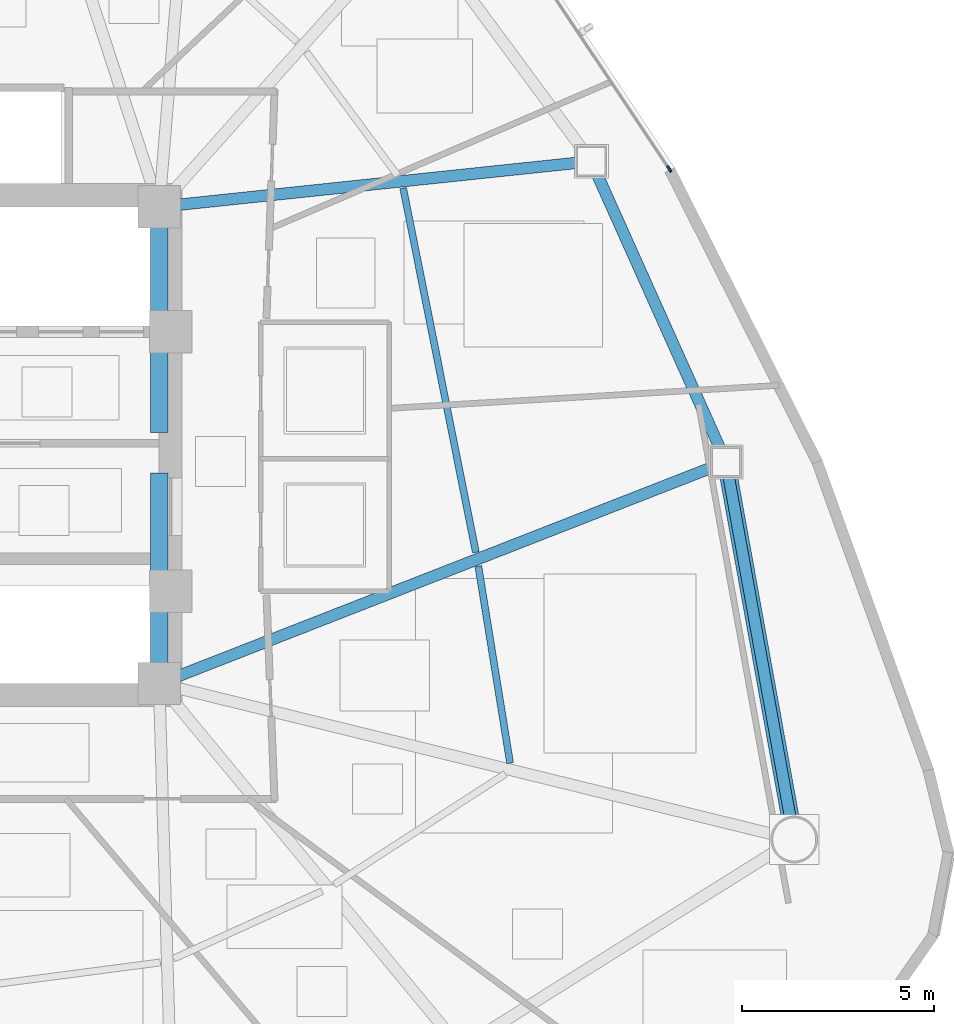
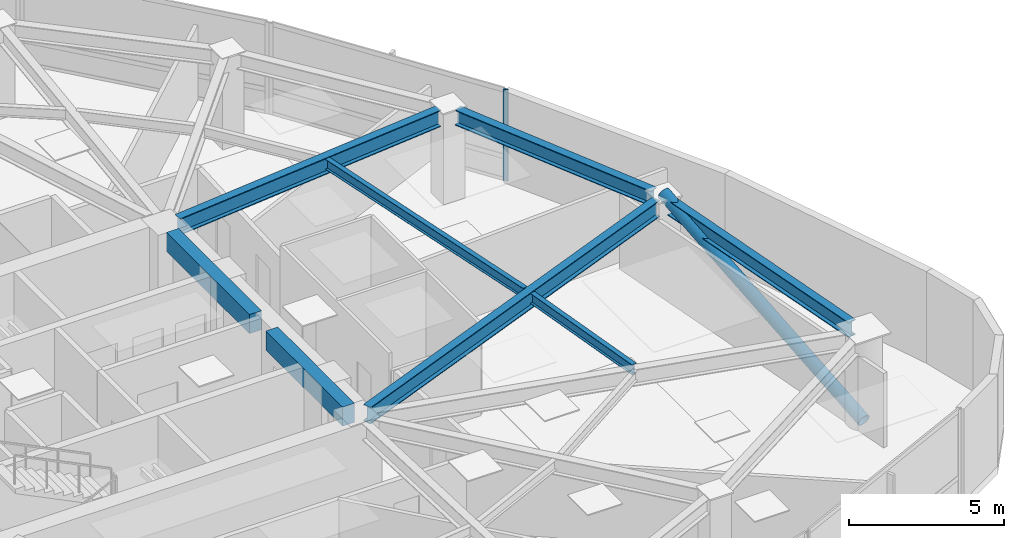
# One storey, part 7 of 18: 8 beams, 2 members, 1 element without a shape of its own.
"""IFC4 building model written with IfcOpenShell, lengths in metres."""

import ifcopenshell
import ifcopenshell.guid

model = None  # the IFC model being written
_history = None  # IfcOwnerHistory: only IFC2X3 demands one
_inside = {}  # id of a spatial element -> (the spatial element, [elements in it])
_under = {}  # id of a project, library or spatial element -> (it, [spatial elements below it])
_declared = {}  # id of a project -> (the project, [libraries it declares])
_typed = {}  # id of a type object -> (the type object, [elements of that type])
_made_of = {}  # id of a material, layer set ... -> (it, [elements and type objects made of it])


def new_model(schema):
    """Start an empty IFC model of exactly this schema.

    Asked for "IFC4X3", IfcOpenShell would pick the latest addendum, in which some entities
    have other attributes; the version numbers below select the first issue.
    IFC2X3 requires an IfcOwnerHistory on every rooted entity: one is made here for all.
    """
    global model, _history
    if schema == "IFC4X3":
        model = ifcopenshell.file(schema_version=(4, 3, 0, 0))
    else:
        model = ifcopenshell.file(schema=schema)
    _inside.clear()
    _under.clear()
    _declared.clear()
    _typed.clear()
    _made_of.clear()
    _history = None
    if model.schema == "IFC2X3":
        org = make("IfcOrganization", Name="unknown")
        user = make(
            "IfcPersonAndOrganization",
            ThePerson=make("IfcPerson", FamilyName="unknown"),
            TheOrganization=org,
        )
        app = make(
            "IfcApplication",
            ApplicationDeveloper=org,
            Version="unknown",
            ApplicationFullName="unknown",
            ApplicationIdentifier="unknown",
        )
        _history = make(
            "IfcOwnerHistory",
            OwningUser=user,
            OwningApplication=app,
            ChangeAction="ADDED",
            CreationDate=0,
        )
    return model


def make(cls, **values):
    """One entity of the class cls with the attributes given. An attribute that is None is left unset."""
    return model.create_entity(
        cls, **{name: value for name, value in values.items() if value is not None}
    )


def rooted(cls, **values):
    """An entity with a GlobalId (a new one), such as an element, a storey or a relation."""
    return make(cls, GlobalId=ifcopenshell.guid.new(), OwnerHistory=_history, **values)


def si_unit(unit_type, name, prefix=None):
    """IfcSIUnit, for example si_unit("LENGTHUNIT", "METRE", prefix="MILLI")."""
    return make("IfcSIUnit", UnitType=unit_type, Prefix=prefix, Name=name)


def assignment(units):
    """IfcUnitAssignment: the units of a project."""
    return None if units is None else make("IfcUnitAssignment", Units=units)


def point(xyz):
    """IfcCartesianPoint."""
    return None if xyz is None else make("IfcCartesianPoint", Coordinates=xyz)


def direction(xyz):
    """IfcDirection."""
    return None if xyz is None else make("IfcDirection", DirectionRatios=xyz)


def frame(location, z_axis=None, x_axis=None):
    """IfcAxis2Placement3D, a coordinate frame: its origin and axes. An axis left out is left unset."""
    return make(
        "IfcAxis2Placement3D",
        Location=point(location),
        Axis=direction(z_axis),
        RefDirection=direction(x_axis),
    )


def frame_2d(location, x_axis=None):
    """IfcAxis2Placement2D, a coordinate frame in the plane: its origin and x axis."""
    return make(
        "IfcAxis2Placement2D", Location=point(location), RefDirection=direction(x_axis)
    )


def origin():
    """The frame at (0, 0, 0) with its axes left unset."""
    return frame((0.0, 0.0, 0.0))


def origin_2d():
    """The frame at (0, 0) in the plane with its x axis left unset."""
    return frame_2d((0.0, 0.0))


def place(relative_to, where):
    """IfcLocalPlacement: puts the frame where relative to a parent placement (None: the world)."""
    return make(
        "IfcLocalPlacement", PlacementRelTo=relative_to, RelativePlacement=where
    )


def context(
    kind, dimensions, precision=None, world=None, true_north=None, identifier=None
):
    """IfcGeometricRepresentationContext, for example the 3D "Model" context."""
    return make(
        "IfcGeometricRepresentationContext",
        ContextIdentifier=identifier,
        ContextType=kind,
        CoordinateSpaceDimension=dimensions,
        Precision=precision,
        WorldCoordinateSystem=world,
        TrueNorth=true_north,
    )


def subcontext(parent, identifier, kind, view, scale=None):
    """IfcGeometricRepresentationSubContext, for example "Body" below "Model"."""
    return make(
        "IfcGeometricRepresentationSubContext",
        ContextIdentifier=identifier,
        ContextType=kind,
        ParentContext=parent,
        TargetScale=scale,
        TargetView=view,
    )


def project(units=None, contexts=None):
    """IfcProject with its units and contexts."""
    return rooted(
        "IfcProject",
        Name="project",
        RepresentationContexts=contexts,
        UnitsInContext=assignment(units),
    )


def spatial(cls, under=None, at=None, **own):
    """A site, building, storey or space (cls), placed at a placement, below another one or the project."""
    s = rooted(cls, ObjectPlacement=at, **own)
    if under is not None:
        _under.setdefault(under.id(), (under, []))[1].append(s)
    return s


def profile(cls, at=None, kind="AREA", **sizes):
    """A parametric profile (cls). Its sizes go by their IFC names, for example OverallWidth=200.0."""
    return make(cls, ProfileType=kind, Position=at, **sizes)


def rectangle(**sizes):
    """IfcRectangleProfileDef."""
    return profile("IfcRectangleProfileDef", **sizes)


def hollow_rectangle(**sizes):
    """IfcRectangleHollowProfileDef."""
    return profile("IfcRectangleHollowProfileDef", **sizes)


def hollow_circle(**sizes):
    """IfcCircleHollowProfileDef."""
    return profile("IfcCircleHollowProfileDef", **sizes)


def i_section(**sizes):
    """IfcIShapeProfileDef."""
    return profile("IfcIShapeProfileDef", **sizes)


def extrude(swept, where, along, depth):
    """IfcExtrudedAreaSolid: the profile swept, set in the frame where, extruded along a direction by depth."""
    return make(
        "IfcExtrudedAreaSolid",
        SweptArea=swept,
        Position=where,
        ExtrudedDirection=direction(along),
        Depth=depth,
    )


def shape(context_of_items, identifier, shape_type, items):
    """IfcShapeRepresentation: the items that make up one representation, for example the "Body"."""
    return make(
        "IfcShapeRepresentation",
        ContextOfItems=context_of_items,
        RepresentationIdentifier=identifier,
        RepresentationType=shape_type,
        Items=items,
    )


def source(mapping_origin, context_of_items, identifier, shape_type, items):
    """IfcRepresentationMap: a shape defined once, which mapped items show again and again."""
    return make(
        "IfcRepresentationMap",
        MappingOrigin=mapping_origin,
        MappedRepresentation=shape(context_of_items, identifier, shape_type, items),
    )


def transform(
    local_origin,
    x_axis=None,
    y_axis=None,
    z_axis=None,
    scale=None,
    scale2=None,
    scale3=None,
    uniform=True,
):
    """IfcCartesianTransformationOperator3D, or its non-uniform kind. x_axis, y_axis, z_axis: its Axis1, 2, 3."""
    if uniform:
        return make(
            "IfcCartesianTransformationOperator3D",
            Axis1=direction(x_axis),
            Axis2=direction(y_axis),
            LocalOrigin=point(local_origin),
            Scale=scale,
            Axis3=direction(z_axis),
        )
    return make(
        "IfcCartesianTransformationOperator3DnonUniform",
        Axis1=direction(x_axis),
        Axis2=direction(y_axis),
        LocalOrigin=point(local_origin),
        Scale=scale,
        Axis3=direction(z_axis),
        Scale2=scale2,
        Scale3=scale3,
    )


def mapped(mapping_source, mapping_target):
    """IfcMappedItem: shows the shape of a source again, moved by a transform."""
    return make(
        "IfcMappedItem", MappingSource=mapping_source, MappingTarget=mapping_target
    )


def material(Name=None, Category=None):
    """IfcMaterial."""
    return make("IfcMaterial", Name=Name, Category=Category)


def layer(
    of_material, thickness, ventilated=None, Name=None, Category=None, Priority=None
):
    """IfcMaterialLayer: one layer of a wall or slab, of a material (None: an air gap)."""
    return make(
        "IfcMaterialLayer",
        Material=of_material,
        LayerThickness=thickness,
        IsVentilated=ventilated,
        Name=Name,
        Category=Category,
        Priority=Priority,
    )


def layer_set(layers, Name=None):
    """IfcMaterialLayerSet."""
    return make("IfcMaterialLayerSet", MaterialLayers=layers, LayerSetName=Name)


def material_profile(
    of_material, cross_section, Name=None, Category=None, Priority=None
):
    """IfcMaterialProfile: a cross section and its material."""
    return make(
        "IfcMaterialProfile",
        Name=Name,
        Material=of_material,
        Profile=cross_section,
        Priority=Priority,
        Category=Category,
    )


def profile_set(profiles, Name=None, composite=None):
    """IfcMaterialProfileSet."""
    return make(
        "IfcMaterialProfileSet",
        Name=Name,
        MaterialProfiles=profiles,
        CompositeProfile=composite,
    )


def made_of(thing, what):
    """Note that an element or type object is made of a material, layer set ...; save() writes the relation."""
    if what is not None:
        _made_of.setdefault(what.id(), (what, []))[1].append(thing)
    return thing


def type_object(cls, material=None, **own):
    """A type object (cls), such as IfcWallType, which elements share."""
    return made_of(rooted(cls, **own), material)


def type_shapes(of_type, sources):
    """Give a type object the sources (RepresentationMaps) that its elements show as mapped items."""
    of_type.RepresentationMaps = sources


def element(
    cls,
    number,
    at=None,
    inside=None,
    cuts=None,
    type_object=None,
    material=None,
    context=None,
    identifier="Body",
    shape_type=None,
    held_by="IfcProductDefinitionShape",
    body=None,
    shapes=None,
    **own,
):
    """One element of the class cls, such as IfcWall. Its Tag is "e" and its number.

    at: its placement. inside: the storey or other place that contains it. cuts: it is an
    opening in that element (IfcRelVoidsElement). A single representation is given by context,
    identifier, shape_type and body (its items); several are given by shapes. held_by: the class
    of the entity that holds the representations. save() writes the other relations.
    """
    e = rooted(cls, Tag="e%d" % number, ObjectPlacement=at, **own)
    if body is not None:
        shapes = [shape(context, identifier, shape_type, body)]
    if shapes is not None:
        e.Representation = make(held_by, Representations=shapes)
    if inside is not None:
        _inside.setdefault(inside.id(), (inside, []))[1].append(e)
    if cuts is not None:
        rooted(
            "IfcRelVoidsElement", RelatingBuildingElement=cuts, RelatedOpeningElement=e
        )
    if type_object is not None:
        _typed.setdefault(type_object.id(), (type_object, []))[1].append(e)
    return made_of(e, material)


def aggregate(whole, parts):
    """IfcRelAggregates: a whole, such as a stair, and the parts it consists of."""
    return rooted("IfcRelAggregates", RelatingObject=whole, RelatedObjects=parts)


def save(model, path):
    """Write the relations noted so far, then the file.

    IfcRelAggregates (storeys below a building ...), IfcRelContainedInSpatialStructure (elements
    in a storey), IfcRelDefinesByType, IfcRelAssociatesMaterial and IfcRelDeclares: one each for
    every whole, place, type object, material and project.
    """
    for whole, parts in _under.values():
        aggregate(whole, parts)
    for where, things in _inside.values():
        rooted(
            "IfcRelContainedInSpatialStructure",
            RelatedElements=things,
            RelatingStructure=where,
        )
    for kind, things in _typed.values():
        rooted("IfcRelDefinesByType", RelatedObjects=things, RelatingType=kind)
    for what, things in _made_of.values():
        rooted("IfcRelAssociatesMaterial", RelatedObjects=things, RelatingMaterial=what)
    for by, libraries in _declared.values():
        rooted("IfcRelDeclares", RelatingContext=by, RelatedDefinitions=libraries)
    model.write(path)


model = new_model("IFC4")

# Units and contexts
model_context = context("Model", 3, precision=1e-05, world=origin(), true_north=direction((0.0, 1.0)))
body_context = subcontext(model_context, "Body", "Model", "MODEL_VIEW")
ifc_project = project(units=[si_unit("LENGTHUNIT", "METRE"), si_unit("AREAUNIT", "SQUARE_METRE"), si_unit("VOLUMEUNIT", "CUBIC_METRE"), si_unit("PLANEANGLEUNIT", "RADIAN"), si_unit("MASSUNIT", "GRAM", prefix="KILO")], contexts=[model_context])

# Site, building, storey
site_placement = place(None, origin())
site = spatial("IfcSite", under=ifc_project, at=site_placement, CompositionType="ELEMENT")
building_placement = place(site_placement, origin())
building = spatial("IfcBuilding", under=site, at=building_placement, Name="Tavelor Broadcast Tower", CompositionType="ELEMENT")
storey_placement = place(building_placement, frame((0.0, 0.0, 54.89990234375)))
storey = spatial("IfcBuildingStorey", under=building, at=storey_placement, Name="L12", CompositionType="ELEMENT", Elevation=54.89990234375)

# Beams
ifc_material_1 = material(Name="Concrete C40/50", Category="concrete")
ifc_material_profile_1 = material_profile(ifc_material_1, rectangle(XDim=0.449951171875, YDim=0.75, at=origin_2d()), Name="RC 450x750")
ifc_profile_set_1 = profile_set([ifc_material_profile_1], Name="Concrete C40/50")
beam_type_1 = type_object("IfcBeamType", Name="Basement Core Trim Beam 450x750", PredefinedType="BEAM", material=ifc_profile_set_1)
beam_1_placement = place(storey_placement, frame((56.60009765625, 45.327880859375, 3.22509765625), z_axis=(0.0, 1.0, 0.0), x_axis=(-1.0, 0.0, 0.0)))
element("IfcBeam", 1, at=beam_1_placement, inside=storey, type_object=beam_type_1, Name="L12 Core East-N Tie Girder", PredefinedType="BEAM", context=body_context, shape_type="SweptSolid", body=[
    extrude(rectangle(XDim=0.449951171875, YDim=0.75, at=origin_2d()), origin(), (0.0, 0.0, 1.0), 5.34423828125),
])
beam_2_placement = place(storey_placement, frame((56.60009765625, 39.327880859375, 3.22509765625), z_axis=(0.0, 1.0, 0.0), x_axis=(-1.0, 0.0, 0.0)))
element("IfcBeam", 2, at=beam_2_placement, inside=storey, type_object=beam_type_1, Name="L12 Core East-S Tie Girder", PredefinedType="BEAM", context=body_context, shape_type="SweptSolid", body=[
    extrude(rectangle(XDim=0.449951171875, YDim=0.75, at=origin_2d()), origin(), (0.0, 0.0, 1.0), 4.944091796875),
])
ifc_material_2 = material(Name="Steel S355", Category="steel")
ifc_material_profile_2 = material_profile(ifc_material_2, i_section(OverallWidth=0.179931640625, OverallDepth=0.39990234375, WebThickness=0.008544921875, FlangeThickness=0.013427734375, at=origin_2d()), Name="IPE 400")
ifc_profile_set_2 = profile_set([ifc_material_profile_2], Name="Steel S355")
beam_type_2 = type_object("IfcBeamType", Name="Composite Floor Joist T1 IPE 400", PredefinedType="JOIST", material=ifc_profile_set_2)
beam_3_placement = place(storey_placement, frame((65.728515625, 36.72998046875, 3.400146484375), z_axis=(-0.159264963379, 0.987235874267, 0.0), x_axis=(-0.987235874267, -0.159264963379, 0.0)))
element("IfcBeam", 3, at=beam_3_placement, inside=storey, type_object=beam_type_2, Name="L12 Secondary Composite Floor Joist 13", PredefinedType="JOIST", context=body_context, shape_type="SweptSolid", body=[
    extrude(i_section(OverallWidth=0.179931640625, OverallDepth=0.39990234375, WebThickness=0.008544921875, FlangeThickness=0.013427734375, at=origin_2d()), origin(), (0.0, 0.0, 1.0), 5.19189453125),
])
beam_4_placement = place(storey_placement, frame((64.83740234375, 42.2119140625, 3.400146484375), z_axis=(-0.195615567929, 0.980680656271, 0.0), x_axis=(-0.980680656271, -0.195615567929, 0.0)))
element("IfcBeam", 4, at=beam_4_placement, inside=storey, type_object=beam_type_2, Name="L12 Secondary Composite Floor Joist 14", PredefinedType="JOIST", context=body_context, shape_type="SweptSolid", body=[
    extrude(i_section(OverallWidth=0.179931640625, OverallDepth=0.39990234375, WebThickness=0.008544921875, FlangeThickness=0.013427734375, at=origin_2d()), origin(), (0.0, 0.0, 1.0), 9.661376953125),
])
ifc_material_profile_3 = material_profile(ifc_material_2, i_section(OverallWidth=0.300048828125, OverallDepth=0.60009765625, WebThickness=0.015380859375, FlangeThickness=0.030029296875, at=origin_2d()), Name="HEB 600")
ifc_profile_set_3 = profile_set([ifc_material_profile_3], Name="Steel S355")
beam_type_3 = type_object("IfcBeamType", Name="Perimeter Spandrel Beam T1 HEB 600", PredefinedType="SPANDREL", material=ifc_profile_set_3)
beam_5_placement = place(storey_placement, frame((73.013916015625, 35.31982421875, 3.300048828125), z_axis=(-0.177745578839, 0.984076475282, 0.0), x_axis=(-0.984076475282, -0.177745578839, 0.0)))
element("IfcBeam", 5, at=beam_5_placement, inside=storey, type_object=beam_type_3, Name="L12 Framed-Tube Ring Spandrel 13", PredefinedType="SPANDREL", context=body_context, shape_type="SweptSolid", body=[
    extrude(i_section(OverallWidth=0.300048828125, OverallDepth=0.60009765625, WebThickness=0.015380859375, FlangeThickness=0.030029296875, at=origin_2d()), origin(), (0.0, 0.0, 1.0), 9.010498046875),
])
beam_6_placement = place(storey_placement, frame((71.18701171875, 44.9150390625, 3.300048828125), z_axis=(-0.40892197507, 0.912569349861, 0.0), x_axis=(-0.912569349861, -0.40892197507, 0.0)))
element("IfcBeam", 6, at=beam_6_placement, inside=storey, type_object=beam_type_3, Name="L12 Framed-Tube Ring Spandrel 14", PredefinedType="SPANDREL", context=body_context, shape_type="SweptSolid", body=[
    extrude(i_section(OverallWidth=0.300048828125, OverallDepth=0.60009765625, WebThickness=0.015380859375, FlangeThickness=0.030029296875, at=origin_2d()), origin(), (0.0, 0.0, 1.0), 7.799072265625),
])

# Member
ifc_material_profile_4 = material_profile(ifc_material_2, hollow_circle(Radius=0.228515625, WallThickness=0.02001953125, at=origin_2d()), Name="CHS 457x20")
ifc_profile_set_4 = profile_set([ifc_material_profile_4], Name="Steel S355")
member_type_1 = type_object("IfcMemberType", Name="Perimeter Tube Brace T1 CHS 457x20", PredefinedType="BRACE", material=ifc_profile_set_4)
member_1_placement = place(storey_placement, frame((73.117919921875, 34.743896484375, 0.0), z_axis=(-0.167205980675, 0.925685078259, 0.339336552578), x_axis=(-0.984075144607, -0.177752945874, 0.0)))
element("IfcMember", 7, at=member_1_placement, inside=storey, type_object=member_type_1, Name="L12 Corner Tube Diagonal Brace 3", PredefinedType="BRACE", context=body_context, shape_type="SweptSolid", body=[
    extrude(hollow_circle(Radius=0.228515625, WallThickness=0.02001953125, at=origin_2d()), origin(), (0.0, 0.0, 1.0), 10.609130859375),
])

# Beams
ifc_material_profile_5 = material_profile(ifc_material_2, i_section(OverallWidth=0.300048828125, OverallDepth=0.64990234375, WebThickness=0.01611328125, FlangeThickness=0.031005859375, at=origin_2d()), Name="HEB 650")
ifc_profile_set_5 = profile_set([ifc_material_profile_5], Name="Steel S355")
beam_type_4 = type_object("IfcBeamType", Name="Radial Floor Girder T1 HEB 650", PredefinedType="BEAM", material=ifc_profile_set_5)
beam_7_placement = place(storey_placement, frame((57.091796875, 38.9921875, 3.275146484375), z_axis=(0.931344390249, 0.364139570429, 0.0), x_axis=(-0.364139570429, 0.931344390249, 0.0)))
element("IfcBeam", 8, at=beam_7_placement, inside=storey, type_object=beam_type_4, Name="L12 Radial Primary Floor Girder 14", PredefinedType="BEAM", context=body_context, shape_type="SweptSolid", body=[
    extrude(i_section(OverallWidth=0.300048828125, OverallDepth=0.64990234375, WebThickness=0.01611328125, FlangeThickness=0.031005859375, at=origin_2d()), origin(), (0.0, 0.0, 1.0), 14.9189453125),
])
beam_8_placement = place(storey_placement, frame((57.125, 51.255126953125, 3.275146484375), z_axis=(0.994511502262, 0.104627299822, 0.0), x_axis=(-0.104627299822, 0.994511502262, 0.0)))
element("IfcBeam", 9, at=beam_8_placement, inside=storey, type_object=beam_type_4, Name="L12 Radial Primary Floor Girder 15", PredefinedType="BEAM", context=body_context, shape_type="SweptSolid", body=[
    extrude(i_section(OverallWidth=0.300048828125, OverallDepth=0.64990234375, WebThickness=0.01611328125, FlangeThickness=0.031005859375, at=origin_2d()), origin(), (0.0, 0.0, 1.0), 10.390869140625),
])

# Curtain wall, member
ifc_material_3 = material(Name="Architectural Anodized Aluminium", Category="aluminium")
ifc_layer = layer(ifc_material_3, 0.179931640625)
ifc_layer_set = layer_set([ifc_layer], Name="Architectural Anodized Aluminium")
curtain_wall_type = type_object("IfcCurtainWallType", Name="Tower Low-Zone Unitised Curtain Wall CW02", PredefinedType="NOTDEFINED", material=ifc_layer_set)
curtain_wall_placement = place(storey_placement, origin())
curtain_wall = element("IfcCurtainWall", 10, at=curtain_wall_placement, inside=storey, type_object=curtain_wall_type, Name="L12 Curtain Wall CW02 Run 105", PredefinedType="NOTDEFINED")
ifc_material_profile_6 = material_profile(ifc_material_3, hollow_rectangle(XDim=0.06494140625, YDim=0.179931640625, WallThickness=0.02197265625, at=origin_2d()), Name="RHS 65x180x22")
ifc_profile_set_6 = profile_set([ifc_material_profile_6], Name="Architectural Anodized Aluminium")
member_type_2 = type_object("IfcMemberType", Name="CW02 Extruded Aluminium Mullion 65x180", PredefinedType="MULLION", material=ifc_profile_set_6)
shared_shape = source(origin(), body_context, "Body", "SweptSolid", [
    extrude(hollow_rectangle(XDim=0.06494140625, YDim=0.179931640625, WallThickness=0.02197265625, at=origin_2d()), origin(), (0.0, 0.0, 1.0), 3.60009765625),
])
type_shapes(member_type_2, [shared_shape])
member_2_placement = place(storey_placement, frame((69.866943359375, 52.180908203125, 0.0), z_axis=(0.0, 0.0, 1.0), x_axis=(-0.831717169466, -0.555199558732, 0.0)))
member_2 = element("IfcMember", 11, at=member_2_placement, type_object=member_type_2, Name="CW02 mullion 1", PredefinedType="MULLION", context=body_context, shape_type="MappedRepresentation", body=[
    mapped(shared_shape, transform((0.0, 0.0, 0.0), scale=1.0)),
])
aggregate(curtain_wall, [member_2])

save(model, "model.ifc")
